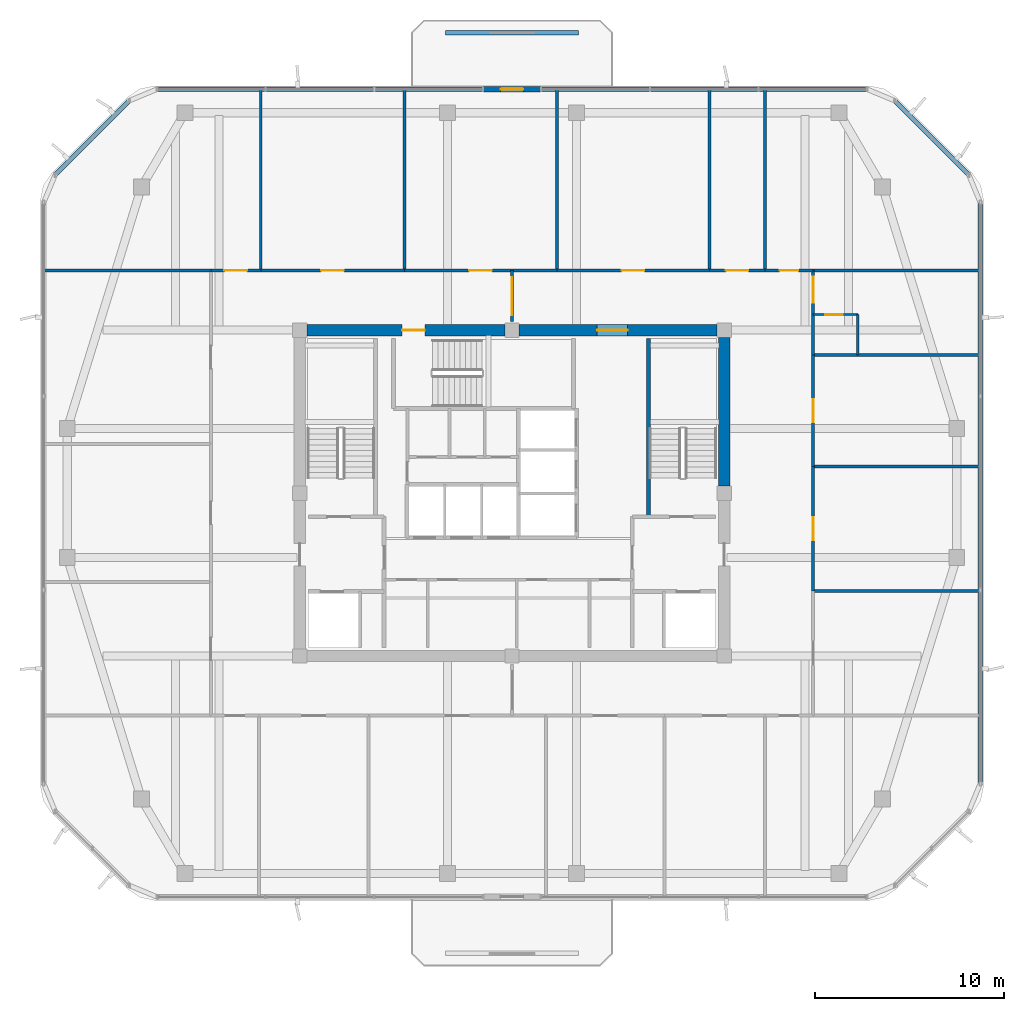
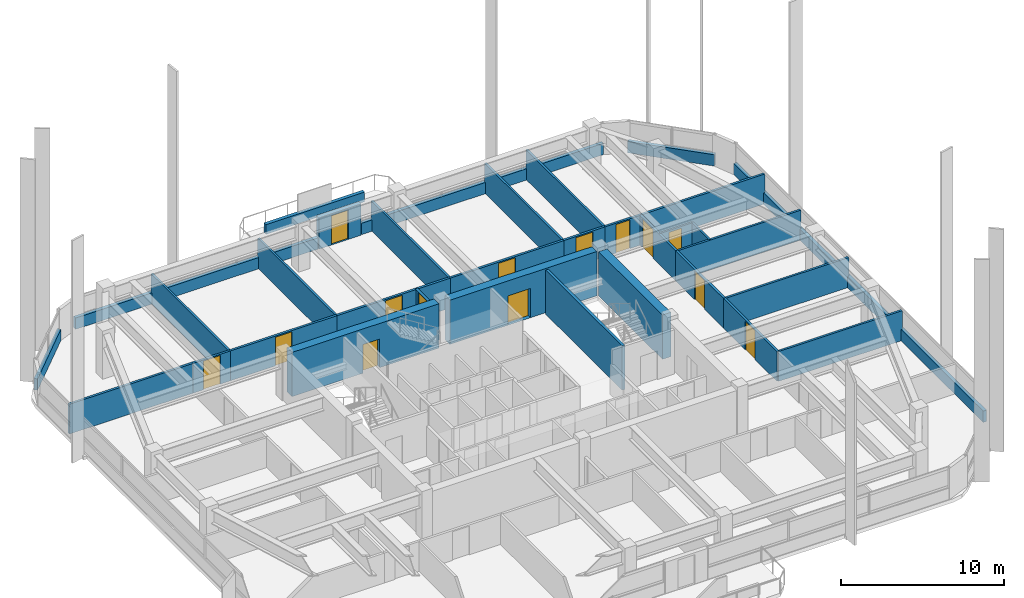
# One storey, part 9 of 13: 33 walls, 14 doors, 14 openings.
"""IFC4 building model written with IfcOpenShell, lengths in metres."""

import ifcopenshell
import ifcopenshell.guid

model = None  # the IFC model being written
_history = None  # IfcOwnerHistory: only IFC2X3 demands one
_inside = {}  # id of a spatial element -> (the spatial element, [elements in it])
_under = {}  # id of a project, library or spatial element -> (it, [spatial elements below it])
_declared = {}  # id of a project -> (the project, [libraries it declares])
_typed = {}  # id of a type object -> (the type object, [elements of that type])
_made_of = {}  # id of a material, layer set ... -> (it, [elements and type objects made of it])


def new_model(schema):
    """Start an empty IFC model of exactly this schema.

    Asked for "IFC4X3", IfcOpenShell would pick the latest addendum, in which some entities
    have other attributes; the version numbers below select the first issue.
    IFC2X3 requires an IfcOwnerHistory on every rooted entity: one is made here for all.
    """
    global model, _history
    if schema == "IFC4X3":
        model = ifcopenshell.file(schema_version=(4, 3, 0, 0))
    else:
        model = ifcopenshell.file(schema=schema)
    _inside.clear()
    _under.clear()
    _declared.clear()
    _typed.clear()
    _made_of.clear()
    _history = None
    if model.schema == "IFC2X3":
        org = make("IfcOrganization", Name="unknown")
        user = make(
            "IfcPersonAndOrganization",
            ThePerson=make("IfcPerson", FamilyName="unknown"),
            TheOrganization=org,
        )
        app = make(
            "IfcApplication",
            ApplicationDeveloper=org,
            Version="unknown",
            ApplicationFullName="unknown",
            ApplicationIdentifier="unknown",
        )
        _history = make(
            "IfcOwnerHistory",
            OwningUser=user,
            OwningApplication=app,
            ChangeAction="ADDED",
            CreationDate=0,
        )
    return model


def make(cls, **values):
    """One entity of the class cls with the attributes given. An attribute that is None is left unset."""
    return model.create_entity(
        cls, **{name: value for name, value in values.items() if value is not None}
    )


def rooted(cls, **values):
    """An entity with a GlobalId (a new one), such as an element, a storey or a relation."""
    return make(cls, GlobalId=ifcopenshell.guid.new(), OwnerHistory=_history, **values)


def si_unit(unit_type, name, prefix=None):
    """IfcSIUnit, for example si_unit("LENGTHUNIT", "METRE", prefix="MILLI")."""
    return make("IfcSIUnit", UnitType=unit_type, Prefix=prefix, Name=name)


def derived_unit(unit_type, elements):
    """IfcDerivedUnit: a product of units, each with its exponent."""
    return make(
        "IfcDerivedUnit",
        Elements=[
            make("IfcDerivedUnitElement", Unit=unit, Exponent=power)
            for unit, power in elements
        ],
        UnitType=unit_type,
    )


def assignment(units):
    """IfcUnitAssignment: the units of a project."""
    return None if units is None else make("IfcUnitAssignment", Units=units)


def point(xyz):
    """IfcCartesianPoint."""
    return None if xyz is None else make("IfcCartesianPoint", Coordinates=xyz)


def direction(xyz):
    """IfcDirection."""
    return None if xyz is None else make("IfcDirection", DirectionRatios=xyz)


def frame(location, z_axis=None, x_axis=None):
    """IfcAxis2Placement3D, a coordinate frame: its origin and axes. An axis left out is left unset."""
    return make(
        "IfcAxis2Placement3D",
        Location=point(location),
        Axis=direction(z_axis),
        RefDirection=direction(x_axis),
    )


def frame_2d(location, x_axis=None):
    """IfcAxis2Placement2D, a coordinate frame in the plane: its origin and x axis."""
    return make(
        "IfcAxis2Placement2D", Location=point(location), RefDirection=direction(x_axis)
    )


def origin():
    """The frame at (0, 0, 0) with its axes left unset."""
    return frame((0.0, 0.0, 0.0))


def place(relative_to, where):
    """IfcLocalPlacement: puts the frame where relative to a parent placement (None: the world)."""
    return make(
        "IfcLocalPlacement", PlacementRelTo=relative_to, RelativePlacement=where
    )


def context(
    kind, dimensions, precision=None, world=None, true_north=None, identifier=None
):
    """IfcGeometricRepresentationContext, for example the 3D "Model" context."""
    return make(
        "IfcGeometricRepresentationContext",
        ContextIdentifier=identifier,
        ContextType=kind,
        CoordinateSpaceDimension=dimensions,
        Precision=precision,
        WorldCoordinateSystem=world,
        TrueNorth=true_north,
    )


def subcontext(parent, identifier, kind, view, scale=None):
    """IfcGeometricRepresentationSubContext, for example "Body" below "Model"."""
    return make(
        "IfcGeometricRepresentationSubContext",
        ContextIdentifier=identifier,
        ContextType=kind,
        ParentContext=parent,
        TargetScale=scale,
        TargetView=view,
    )


def project(units=None, contexts=None):
    """IfcProject with its units and contexts."""
    return rooted(
        "IfcProject",
        Name="project",
        RepresentationContexts=contexts,
        UnitsInContext=assignment(units),
    )


def spatial(cls, under=None, at=None, **own):
    """A site, building, storey or space (cls), placed at a placement, below another one or the project."""
    s = rooted(cls, ObjectPlacement=at, **own)
    if under is not None:
        _under.setdefault(under.id(), (under, []))[1].append(s)
    return s


def profile(cls, at=None, kind="AREA", **sizes):
    """A parametric profile (cls). Its sizes go by their IFC names, for example OverallWidth=200.0."""
    return make(cls, ProfileType=kind, Position=at, **sizes)


def rectangle(**sizes):
    """IfcRectangleProfileDef."""
    return profile("IfcRectangleProfileDef", **sizes)


def extrude(swept, where, along, depth):
    """IfcExtrudedAreaSolid: the profile swept, set in the frame where, extruded along a direction by depth."""
    return make(
        "IfcExtrudedAreaSolid",
        SweptArea=swept,
        Position=where,
        ExtrudedDirection=direction(along),
        Depth=depth,
    )


def shape(context_of_items, identifier, shape_type, items):
    """IfcShapeRepresentation: the items that make up one representation, for example the "Body"."""
    return make(
        "IfcShapeRepresentation",
        ContextOfItems=context_of_items,
        RepresentationIdentifier=identifier,
        RepresentationType=shape_type,
        Items=items,
    )


def material(Name=None, Category=None):
    """IfcMaterial."""
    return make("IfcMaterial", Name=Name, Category=Category)


def layer(
    of_material, thickness, ventilated=None, Name=None, Category=None, Priority=None
):
    """IfcMaterialLayer: one layer of a wall or slab, of a material (None: an air gap)."""
    return make(
        "IfcMaterialLayer",
        Material=of_material,
        LayerThickness=thickness,
        IsVentilated=ventilated,
        Name=Name,
        Category=Category,
        Priority=Priority,
    )


def layer_set(layers, Name=None):
    """IfcMaterialLayerSet."""
    return make("IfcMaterialLayerSet", MaterialLayers=layers, LayerSetName=Name)


def made_of(thing, what):
    """Note that an element or type object is made of a material, layer set ...; save() writes the relation."""
    if what is not None:
        _made_of.setdefault(what.id(), (what, []))[1].append(thing)
    return thing


def type_object(cls, material=None, **own):
    """A type object (cls), such as IfcWallType, which elements share."""
    return made_of(rooted(cls, **own), material)


def element(
    cls,
    number,
    at=None,
    inside=None,
    cuts=None,
    type_object=None,
    material=None,
    context=None,
    identifier="Body",
    shape_type=None,
    held_by="IfcProductDefinitionShape",
    body=None,
    shapes=None,
    **own,
):
    """One element of the class cls, such as IfcWall. Its Tag is "e" and its number.

    at: its placement. inside: the storey or other place that contains it. cuts: it is an
    opening in that element (IfcRelVoidsElement). A single representation is given by context,
    identifier, shape_type and body (its items); several are given by shapes. held_by: the class
    of the entity that holds the representations. save() writes the other relations.
    """
    e = rooted(cls, Tag="e%d" % number, ObjectPlacement=at, **own)
    if body is not None:
        shapes = [shape(context, identifier, shape_type, body)]
    if shapes is not None:
        e.Representation = make(held_by, Representations=shapes)
    if inside is not None:
        _inside.setdefault(inside.id(), (inside, []))[1].append(e)
    if cuts is not None:
        rooted(
            "IfcRelVoidsElement", RelatingBuildingElement=cuts, RelatedOpeningElement=e
        )
    if type_object is not None:
        _typed.setdefault(type_object.id(), (type_object, []))[1].append(e)
    return made_of(e, material)


def fill(opening, filler):
    """IfcRelFillsElement: the door or window that sits in an opening."""
    return rooted(
        "IfcRelFillsElement",
        RelatingOpeningElement=opening,
        RelatedBuildingElement=filler,
    )


def aggregate(whole, parts):
    """IfcRelAggregates: a whole, such as a stair, and the parts it consists of."""
    return rooted("IfcRelAggregates", RelatingObject=whole, RelatedObjects=parts)


def save(model, path):
    """Write the relations noted so far, then the file.

    IfcRelAggregates (storeys below a building ...), IfcRelContainedInSpatialStructure (elements
    in a storey), IfcRelDefinesByType, IfcRelAssociatesMaterial and IfcRelDeclares: one each for
    every whole, place, type object, material and project.
    """
    for whole, parts in _under.values():
        aggregate(whole, parts)
    for where, things in _inside.values():
        rooted(
            "IfcRelContainedInSpatialStructure",
            RelatedElements=things,
            RelatingStructure=where,
        )
    for kind, things in _typed.values():
        rooted("IfcRelDefinesByType", RelatedObjects=things, RelatingType=kind)
    for what, things in _made_of.values():
        rooted("IfcRelAssociatesMaterial", RelatedObjects=things, RelatingMaterial=what)
    for by, libraries in _declared.values():
        rooted("IfcRelDeclares", RelatingContext=by, RelatedDefinitions=libraries)
    model.write(path)


model = new_model("IFC4")

# Units and contexts
model_context = context("Model", 3, precision=1e-05, world=origin(), true_north=direction((0.0, 1.0)))
body_context = subcontext(model_context, "Body", "Model", "MODEL_VIEW")
ifc_project = project(units=[si_unit("LENGTHUNIT", "METRE"), si_unit("AREAUNIT", "SQUARE_METRE"), si_unit("VOLUMEUNIT", "CUBIC_METRE"), si_unit("PLANEANGLEUNIT", "RADIAN"), si_unit("MASSUNIT", "GRAM", prefix="KILO"), derived_unit("THERMALTRANSMITTANCEUNIT", [(si_unit("POWERUNIT", "WATT"), 1), (si_unit("LENGTHUNIT", "METRE"), -2), (si_unit("THERMODYNAMICTEMPERATUREUNIT", "KELVIN"), -1)])], contexts=[model_context])

# Site, building, storey
site_placement = place(None, origin())
site = spatial("IfcSite", under=ifc_project, at=site_placement, CompositionType="ELEMENT")
building_placement = place(site_placement, origin())
building = spatial("IfcBuilding", under=site, at=building_placement, Name="Koralith Skygarden Medical Center", CompositionType="ELEMENT")
storey_placement = place(building_placement, frame((0.0, 0.0, 282.419921875)))
storey = spatial("IfcBuildingStorey", under=building, at=storey_placement, Name="L73", CompositionType="ELEMENT", Elevation=282.419921875)

# Walls
ifc_material_1 = material(Name="Gypsum Board Partition")
ifc_layer_1 = layer(ifc_material_1, 0.14990234375)
ifc_layer_set_1 = layer_set([ifc_layer_1], Name="Gypsum Board Partition")
wall_type_1 = type_object("IfcWallType", Name="Clinical Acoustic Partition 150", PredefinedType="PARTITIONING", material=ifc_layer_set_1)
for number, where, z_axis, x_axis, name in (
    (1, (23.739013671875, 37.64990234375, 0.0), (0.0, 0.0, 1.0), (0.0, 1.0, 0.0), "L73 Clinical Acoustic Partition 150 W-PART-L73-N-01"),
    (2, (31.31689453125, 37.64990234375, 0.0), (0.0, 0.0, 1.0), (0.0, 1.0, 0.0), "L73 Clinical Acoustic Partition 150 W-PART-L73-N-02"),
    (3, (39.367919921875, 37.64990234375, 0.0), (0.0, 0.0, 1.0), (0.0, 1.0, 0.0), "L73 Clinical Acoustic Partition 150 W-PART-L73-N-03"),
    (4, (47.4189453125, 37.64990234375, 0.0), (0.0, 0.0, 1.0), (0.0, 1.0, 0.0), "L73 Clinical Acoustic Partition 150 W-PART-L73-N-04"),
    (5, (50.35009765625, 37.64990234375, 0.0), (0.0, 0.0, 1.0), (0.0, 1.0, 0.0), "L73 Clinical Acoustic Partition 150 W-PART-L73-N-05"),
):
    element("IfcWall", number, at=place(storey_placement, frame(where, z_axis=z_axis, x_axis=x_axis)), inside=storey, type_object=wall_type_1, Name=name, PredefinedType="PARTITIONING", context=body_context, shape_type="SweptSolid", body=[
        extrude(rectangle(XDim=9.550048828125, YDim=0.14990234375, at=frame_2d((4.77490234375, 0.0))), origin(), (0.0, 0.0, 1.0), 2.239990234375),
    ])
for number, where, z_axis, x_axis, name in (
    (6, (52.89990234375, 20.72998046875, 0.0), (0.0, 0.0, 1.0), (1.0, 0.0, 0.0), "L73 Clinical Acoustic Partition 150 W-PART-L73-E-01"),
    (7, (52.89990234375, 27.31005859375, 0.0), (0.0, 0.0, 1.0), (1.0, 0.0, 0.0), "L73 Clinical Acoustic Partition 150 W-PART-L73-E-02"),
    (8, (52.89990234375, 33.18505859375, 0.0), (0.0, 0.0, 1.0), (1.0, 0.0, 0.0), "L73 Clinical Acoustic Partition 150 W-PART-L73-E-03"),
):
    element("IfcWall", number, at=place(storey_placement, frame(where, z_axis=z_axis, x_axis=x_axis)), inside=storey, type_object=wall_type_1, Name=name, PredefinedType="PARTITIONING", context=body_context, shape_type="SweptSolid", body=[
        extrude(rectangle(XDim=8.800048828125, YDim=0.14990234375, at=frame_2d((4.39990234375, 0.0))), origin(), (0.0, 0.0, 1.0), 2.239990234375),
    ])
ifc_layer_2 = layer(ifc_material_1, 0.1650390625)
ifc_layer_set_2 = layer_set([ifc_layer_2], Name="Gypsum Board Partition")
wall_type_2 = type_object("IfcWallType", Name="Clinical Corridor Partition 165", PredefinedType="PARTITIONING", material=ifc_layer_set_2)
for number, where, z_axis, x_axis, name in (
    (9, (12.300048828125, 37.64990234375, 0.0), (0.0, 0.0, 1.0), (1.0, 0.0, 0.0), "L73 Clinical Corridor Partition 165 W-WB-L73-NW"),
    (10, (52.89990234375, 37.64990234375, 0.0), (0.0, 0.0, 1.0), (1.0, 0.0, 0.0), "L73 Clinical Corridor Partition 165 W-WB-L73-NE"),
):
    element("IfcWall", number, at=place(storey_placement, frame(where, z_axis=z_axis, x_axis=x_axis)), inside=storey, type_object=wall_type_2, Name=name, PredefinedType="PARTITIONING", context=body_context, shape_type="SweptSolid", body=[
        extrude(rectangle(XDim=8.800048828125, YDim=0.1650390625, at=frame_2d((4.39990234375, 0.0))), origin(), (0.0, 0.0, 1.0), 2.239990234375),
    ])

# Wall, opening, door
wall_1_placement = place(storey_placement, frame((21.10009765625, 37.64990234375, 0.0), z_axis=(0.0, 0.0, 1.0), x_axis=(1.0, 0.0, 0.0)))
wall_1 = element("IfcWall", 11, at=wall_1_placement, inside=storey, type_object=wall_type_2, Name="L73 Clinical Corridor Partition 165 W-CORR-L73-N-01", PredefinedType="PARTITIONING", context=body_context, shape_type="SweptSolid", body=[
    extrude(rectangle(XDim=2.638916015625, YDim=0.1650390625, at=frame_2d((1.3193359375, 0.0))), origin(), (0.0, 0.0, 1.0), 2.239990234375),
])
opening_1_placement = place(wall_1_placement, frame((0.718994140625, 0.0, 0.0)))
opening_1 = element("IfcOpeningElement", 12, at=opening_1_placement, cuts=wall_1, Name="Opening D-CLN", PredefinedType="OPENING", context=body_context, shape_type="SweptSolid", body=[
    extrude(rectangle(XDim=1.199951171875, YDim=2.14990234375, at=frame_2d((0.60009765625, 1.074951171875))), frame((0.0, 0.092529296875, 0.0), z_axis=(0.0, -1.0, 0.0), x_axis=(1.0, 0.0, 0.0)), (0.0, 0.0, 1.0), 0.18505859375),
])
ifc_material_2 = material(Name="Aluminium 6063-T6", Category="aluminium")
door_type_1 = type_object("IfcDoorType", Name="Clinical Corridor Door D-CLN 1200", OperationType="NOTDEFINED", PredefinedType="DOOR", material=ifc_material_2)
door_1_placement = place(opening_1_placement, origin())
door_1 = element("IfcDoor", 13, at=door_1_placement, inside=storey, type_object=door_type_1, Name="L73 Prosthetics Orthotics Supply Store 01 Door", OperationType="SINGLE_SWING_RIGHT", OverallHeight=2.14990234375, OverallWidth=1.199951171875, PredefinedType="DOOR", context=body_context, shape_type="SweptSolid", body=[
    extrude(rectangle(XDim=1.199951171875, YDim=2.14990234375, at=frame_2d((0.60009765625, 1.074951171875))), frame((0.0, 0.02490234375, 0.0), z_axis=(0.0, -1.0, 0.0), x_axis=(1.0, 0.0, 0.0)), (0.0, 0.0, 1.0), 0.050048828125),
])
fill(opening_1, door_1)

wall_2_placement = place(storey_placement, frame((23.739013671875, 37.64990234375, 0.0), z_axis=(0.0, 0.0, 1.0), x_axis=(1.0, 0.0, 0.0)))
wall_2 = element("IfcWall", 14, at=wall_2_placement, inside=storey, type_object=wall_type_2, Name="L73 Clinical Corridor Partition 165 W-CORR-L73-N-02", PredefinedType="PARTITIONING", context=body_context, shape_type="SweptSolid", body=[
    extrude(rectangle(XDim=7.577880859375, YDim=0.1650390625, at=frame_2d((3.7890625, 0.0))), origin(), (0.0, 0.0, 1.0), 2.239990234375),
])
opening_2_placement = place(wall_2_placement, frame((3.18896484375, 0.0, 0.0)))
opening_2 = element("IfcOpeningElement", 15, at=opening_2_placement, cuts=wall_2, Name="Opening D-CLN", PredefinedType="OPENING", context=body_context, shape_type="SweptSolid", body=[
    extrude(rectangle(XDim=1.199951171875, YDim=2.14990234375, at=frame_2d((0.60009765625, 1.074951171875))), frame((0.0, 0.092529296875, 0.0), z_axis=(0.0, -1.0, 0.0), x_axis=(1.0, 0.0, 0.0)), (0.0, 0.0, 1.0), 0.18505859375),
])
door_2_placement = place(opening_2_placement, origin())
door_2 = element("IfcDoor", 16, at=door_2_placement, inside=storey, type_object=door_type_1, Name="L73 Amputee Mobility Gym Hall 02 Door", OperationType="SINGLE_SWING_LEFT", OverallHeight=2.14990234375, OverallWidth=1.199951171875, PredefinedType="DOOR", context=body_context, shape_type="SweptSolid", body=[
    extrude(rectangle(XDim=1.199951171875, YDim=2.14990234375, at=frame_2d((0.60009765625, 1.074951171875))), frame((0.0, 0.02490234375, 0.0), z_axis=(0.0, -1.0, 0.0), x_axis=(1.0, 0.0, 0.0)), (0.0, 0.0, 1.0), 0.050048828125),
])
fill(opening_2, door_2)

wall_3_placement = place(storey_placement, frame((31.31689453125, 37.64990234375, 0.0), z_axis=(0.0, 0.0, 1.0), x_axis=(1.0, 0.0, 0.0)))
wall_3 = element("IfcWall", 17, at=wall_3_placement, inside=storey, type_object=wall_type_2, Name="L73 Clinical Corridor Partition 165 W-CORR-L73-N-03", PredefinedType="PARTITIONING", context=body_context, shape_type="SweptSolid", body=[
    extrude(rectangle(XDim=8.051025390625, YDim=0.1650390625, at=frame_2d((4.025390625, 0.0))), origin(), (0.0, 0.0, 1.0), 2.239990234375),
])
opening_3_placement = place(wall_3_placement, frame((3.426025390625, 0.0, 0.0)))
opening_3 = element("IfcOpeningElement", 18, at=opening_3_placement, cuts=wall_3, Name="Opening D-CLN", PredefinedType="OPENING", context=body_context, shape_type="SweptSolid", body=[
    extrude(rectangle(XDim=1.199951171875, YDim=2.14990234375, at=frame_2d((0.60009765625, 1.074951171875))), frame((0.0, 0.092529296875, 0.0), z_axis=(0.0, -1.0, 0.0), x_axis=(1.0, 0.0, 0.0)), (0.0, 0.0, 1.0), 0.18505859375),
])
door_3_placement = place(opening_3_placement, origin())
door_3 = element("IfcDoor", 19, at=door_3_placement, inside=storey, type_object=door_type_1, Name="L73 Patient and Family Sky-Garden Day Lounge 03 Door", OperationType="SINGLE_SWING_RIGHT", OverallHeight=2.14990234375, OverallWidth=1.199951171875, PredefinedType="DOOR", context=body_context, shape_type="SweptSolid", body=[
    extrude(rectangle(XDim=1.199951171875, YDim=2.14990234375, at=frame_2d((0.60009765625, 1.074951171875))), frame((0.0, 0.02490234375, 0.0), z_axis=(0.0, -1.0, 0.0), x_axis=(1.0, 0.0, 0.0)), (0.0, 0.0, 1.0), 0.050048828125),
])
fill(opening_3, door_3)

wall_4_placement = place(storey_placement, frame((39.367919921875, 37.64990234375, 0.0), z_axis=(0.0, 0.0, 1.0), x_axis=(1.0, 0.0, 0.0)))
wall_4 = element("IfcWall", 20, at=wall_4_placement, inside=storey, type_object=wall_type_2, Name="L73 Clinical Corridor Partition 165 W-CORR-L73-N-04", PredefinedType="PARTITIONING", context=body_context, shape_type="SweptSolid", body=[
    extrude(rectangle(XDim=8.051025390625, YDim=0.1650390625, at=frame_2d((4.025390625, 0.0))), origin(), (0.0, 0.0, 1.0), 2.239990234375),
])
opening_4_placement = place(wall_4_placement, frame((3.425048828125, 0.0, 0.0)))
opening_4 = element("IfcOpeningElement", 21, at=opening_4_placement, cuts=wall_4, Name="Opening D-CLN", PredefinedType="OPENING", context=body_context, shape_type="SweptSolid", body=[
    extrude(rectangle(XDim=1.199951171875, YDim=2.14990234375, at=frame_2d((0.60009765625, 1.074951171875))), frame((0.0, 0.092529296875, 0.0), z_axis=(0.0, -1.0, 0.0), x_axis=(1.0, 0.0, 0.0)), (0.0, 0.0, 1.0), 0.18505859375),
])
door_4_placement = place(opening_4_placement, origin())
door_4 = element("IfcDoor", 22, at=door_4_placement, inside=storey, type_object=door_type_1, Name="L73 Limb Fitting Treatment Room 04 Door", OperationType="SINGLE_SWING_LEFT", OverallHeight=2.14990234375, OverallWidth=1.199951171875, PredefinedType="DOOR", context=body_context, shape_type="SweptSolid", body=[
    extrude(rectangle(XDim=1.199951171875, YDim=2.14990234375, at=frame_2d((0.60009765625, 1.074951171875))), frame((0.0, 0.02490234375, 0.0), z_axis=(0.0, -1.0, 0.0), x_axis=(1.0, 0.0, 0.0)), (0.0, 0.0, 1.0), 0.050048828125),
])
fill(opening_4, door_4)

wall_5_placement = place(storey_placement, frame((47.4189453125, 37.64990234375, 0.0), z_axis=(0.0, 0.0, 1.0), x_axis=(1.0, 0.0, 0.0)))
wall_5 = element("IfcWall", 23, at=wall_5_placement, inside=storey, type_object=wall_type_2, Name="L73 Clinical Corridor Partition 165 W-CORR-L73-N-05", PredefinedType="PARTITIONING", context=body_context, shape_type="SweptSolid", body=[
    extrude(rectangle(XDim=2.93115234375, YDim=0.1650390625, at=frame_2d((1.465576171875, 0.0))), origin(), (0.0, 0.0, 1.0), 2.239990234375),
])
opening_5_placement = place(wall_5_placement, frame((0.865966796875, 0.0, 0.0)))
opening_5 = element("IfcOpeningElement", 24, at=opening_5_placement, cuts=wall_5, Name="Opening D-CLN", PredefinedType="OPENING", context=body_context, shape_type="SweptSolid", body=[
    extrude(rectangle(XDim=1.199951171875, YDim=2.14990234375, at=frame_2d((0.60009765625, 1.074951171875))), frame((0.0, 0.092529296875, 0.0), z_axis=(0.0, -1.0, 0.0), x_axis=(1.0, 0.0, 0.0)), (0.0, 0.0, 1.0), 0.18505859375),
])
door_5_placement = place(opening_5_placement, origin())
door_5 = element("IfcDoor", 25, at=door_5_placement, inside=storey, type_object=door_type_1, Name="L73 Rehab Engineering Office 05 Door", OperationType="SINGLE_SWING_RIGHT", OverallHeight=2.14990234375, OverallWidth=1.199951171875, PredefinedType="DOOR", context=body_context, shape_type="SweptSolid", body=[
    extrude(rectangle(XDim=1.199951171875, YDim=2.14990234375, at=frame_2d((0.60009765625, 1.074951171875))), frame((0.0, 0.02490234375, 0.0), z_axis=(0.0, -1.0, 0.0), x_axis=(1.0, 0.0, 0.0)), (0.0, 0.0, 1.0), 0.050048828125),
])
fill(opening_5, door_5)

wall_6_placement = place(storey_placement, frame((50.35009765625, 37.64990234375, 0.0), z_axis=(0.0, 0.0, 1.0), x_axis=(1.0, 0.0, 0.0)))
wall_6 = element("IfcWall", 26, at=wall_6_placement, inside=storey, type_object=wall_type_2, Name="L73 Clinical Corridor Partition 165 W-CORR-L73-N-06", PredefinedType="PARTITIONING", context=body_context, shape_type="SweptSolid", body=[
    extrude(rectangle(XDim=2.5498046875, YDim=0.1650390625, at=frame_2d((1.27490234375, 0.0))), origin(), (0.0, 0.0, 1.0), 2.239990234375),
])
opening_6_placement = place(wall_6_placement, frame((0.77490234375, 0.0, 0.0)))
opening_6 = element("IfcOpeningElement", 27, at=opening_6_placement, cuts=wall_6, Name="Opening D-SUP", PredefinedType="OPENING", context=body_context, shape_type="SweptSolid", body=[
    extrude(rectangle(XDim=1.0, YDim=2.14990234375, at=frame_2d((0.5, 1.074951171875))), frame((0.0, 0.092529296875, 0.0), z_axis=(0.0, -1.0, 0.0), x_axis=(1.0, 0.0, 0.0)), (0.0, 0.0, 1.0), 0.18505859375),
])
door_type_2 = type_object("IfcDoorType", Name="Clinical Support Door D-SUP 1000", OperationType="NOTDEFINED", PredefinedType="DOOR", material=ifc_material_2)
door_6_placement = place(opening_6_placement, origin())
door_6 = element("IfcDoor", 28, at=door_6_placement, inside=storey, type_object=door_type_2, Name="L73 Prosthetics Orthotics Supply Store 06 Door", OperationType="SINGLE_SWING_LEFT", OverallHeight=2.14990234375, OverallWidth=1.0, PredefinedType="DOOR", context=body_context, shape_type="SweptSolid", body=[
    extrude(rectangle(XDim=1.0, YDim=2.14990234375, at=frame_2d((0.5, 1.074951171875))), frame((0.0, 0.02490234375, 0.0), z_axis=(0.0, -1.0, 0.0), x_axis=(1.0, 0.0, 0.0)), (0.0, 0.0, 1.0), 0.050048828125),
])
fill(opening_6, door_6)

wall_7_placement = place(storey_placement, frame((52.89990234375, 20.72998046875, 0.0), z_axis=(0.0, 0.0, 1.0), x_axis=(0.0, 1.0, 0.0)))
wall_7 = element("IfcWall", 29, at=wall_7_placement, inside=storey, type_object=wall_type_2, Name="L73 Clinical Corridor Partition 165 W-CORR-L73-E-02", PredefinedType="PARTITIONING", context=body_context, shape_type="SweptSolid", body=[
    extrude(rectangle(XDim=6.580078125, YDim=0.1650390625, at=frame_2d((3.2900390625, 0.0))), origin(), (0.0, 0.0, 1.0), 2.239990234375),
])
opening_7_placement = place(wall_7_placement, frame((2.68994140625, 0.0, 0.0)))
opening_7 = element("IfcOpeningElement", 30, at=opening_7_placement, cuts=wall_7, Name="Opening D-CLN", PredefinedType="OPENING", context=body_context, shape_type="SweptSolid", body=[
    extrude(rectangle(XDim=1.199951171875, YDim=2.14990234375, at=frame_2d((0.60009765625, 1.074951171875))), frame((0.0, 0.092529296875, 0.0), z_axis=(0.0, -1.0, 0.0), x_axis=(1.0, 0.0, 0.0)), (0.0, 0.0, 1.0), 0.18505859375),
])
door_7_placement = place(opening_7_placement, origin())
door_7 = element("IfcDoor", 31, at=door_7_placement, inside=storey, type_object=door_type_1, Name="L73 Limb Fitting Treatment Room 17 Door", OperationType="SINGLE_SWING_RIGHT", OverallHeight=2.14990234375, OverallWidth=1.199951171875, PredefinedType="DOOR", context=body_context, shape_type="SweptSolid", body=[
    extrude(rectangle(XDim=1.199951171875, YDim=2.14990234375, at=frame_2d((0.60009765625, 1.074951171875))), frame((0.0, 0.02490234375, 0.0), z_axis=(0.0, -1.0, 0.0), x_axis=(1.0, 0.0, 0.0)), (0.0, 0.0, 1.0), 0.050048828125),
])
fill(opening_7, door_7)

wall_8_placement = place(storey_placement, frame((52.89990234375, 27.31005859375, 0.0), z_axis=(0.0, 0.0, 1.0), x_axis=(0.0, 1.0, 0.0)))
wall_8 = element("IfcWall", 32, at=wall_8_placement, inside=storey, type_object=wall_type_2, Name="L73 Clinical Corridor Partition 165 W-CORR-L73-E-03", PredefinedType="PARTITIONING", context=body_context, shape_type="SweptSolid", body=[
    extrude(rectangle(XDim=5.875, YDim=0.1650390625, at=frame_2d((2.9375, 0.0))), origin(), (0.0, 0.0, 1.0), 2.239990234375),
])
opening_8_placement = place(wall_8_placement, frame((2.337890625, 0.0, 0.0)))
opening_8 = element("IfcOpeningElement", 33, at=opening_8_placement, cuts=wall_8, Name="Opening D-CLN", PredefinedType="OPENING", context=body_context, shape_type="SweptSolid", body=[
    extrude(rectangle(XDim=1.199951171875, YDim=2.14990234375, at=frame_2d((0.60009765625, 1.074951171875))), frame((0.0, 0.092529296875, 0.0), z_axis=(0.0, -1.0, 0.0), x_axis=(1.0, 0.0, 0.0)), (0.0, 0.0, 1.0), 0.18505859375),
])
door_8_placement = place(opening_8_placement, origin())
door_8 = element("IfcDoor", 34, at=door_8_placement, inside=storey, type_object=door_type_1, Name="L73 Rehab Engineering Office 18 Door", OperationType="SINGLE_SWING_LEFT", OverallHeight=2.14990234375, OverallWidth=1.199951171875, PredefinedType="DOOR", context=body_context, shape_type="SweptSolid", body=[
    extrude(rectangle(XDim=1.199951171875, YDim=2.14990234375, at=frame_2d((0.60009765625, 1.074951171875))), frame((0.0, 0.02490234375, 0.0), z_axis=(0.0, -1.0, 0.0), x_axis=(1.0, 0.0, 0.0)), (0.0, 0.0, 1.0), 0.050048828125),
])
fill(opening_8, door_8)

wall_9_placement = place(storey_placement, frame((52.89990234375, 33.18505859375, 0.0), z_axis=(0.0, 0.0, 1.0), x_axis=(0.0, 1.0, 0.0)))
wall_9 = element("IfcWall", 35, at=wall_9_placement, inside=storey, type_object=wall_type_2, Name="L73 Clinical Corridor Partition 165 W-CORR-L73-E-04", PredefinedType="PARTITIONING", context=body_context, shape_type="SweptSolid", body=[
    extrude(rectangle(XDim=4.46484375, YDim=0.1650390625, at=frame_2d((2.232421875, 0.0))), origin(), (0.0, 0.0, 1.0), 2.239990234375),
])
opening_9_placement = place(wall_9_placement, frame((2.77490234375, 0.0, 0.0)))
opening_9 = element("IfcOpeningElement", 36, at=opening_9_placement, cuts=wall_9, Name="Opening D-BED", PredefinedType="OPENING", context=body_context, shape_type="SweptSolid", body=[
    extrude(rectangle(XDim=1.35009765625, YDim=2.14990234375, at=frame_2d((0.675048828125, 1.074951171875))), frame((0.0, 0.092529296875, 0.0), z_axis=(0.0, -1.0, 0.0), x_axis=(1.0, 0.0, 0.0)), (0.0, 0.0, 1.0), 0.18505859375),
])
door_type_3 = type_object("IfcDoorType", Name="Inpatient Bed Leaf Door D-BED 1350", OperationType="NOTDEFINED", PredefinedType="DOOR", material=ifc_material_2)
door_9_placement = place(opening_9_placement, origin())
door_9 = element("IfcDoor", 37, at=door_9_placement, inside=storey, type_object=door_type_3, Name="L73 Inpatient Bedroom 19 Door", OperationType="SINGLE_SWING_RIGHT", OverallHeight=2.14990234375, OverallWidth=1.35009765625, PredefinedType="DOOR", context=body_context, shape_type="SweptSolid", body=[
    extrude(rectangle(XDim=1.35009765625, YDim=2.14990234375, at=frame_2d((0.675048828125, 1.074951171875))), frame((0.0, 0.02490234375, 0.0), z_axis=(0.0, -1.0, 0.0), x_axis=(1.0, 0.0, 0.0)), (0.0, 0.0, 1.0), 0.050048828125),
])
fill(opening_9, door_9)

ifc_layer_3 = layer(ifc_material_1, 0.179931640625)
ifc_layer_set_3 = layer_set([ifc_layer_3], Name="Gypsum Board Partition")
wall_type_3 = type_object("IfcWallType", Name="Group I-2 Smoke Barrier Wall 180", PredefinedType="PARTITIONING", material=ifc_layer_set_3)
wall_10_placement = place(storey_placement, frame((37.0, 34.949951171875, 0.0), z_axis=(0.0, 0.0, 1.0), x_axis=(0.0, 1.0, 0.0)))
wall_10 = element("IfcWall", 38, at=wall_10_placement, inside=storey, type_object=wall_type_3, Name="L73 Group I-2 Smoke Barrier Wall 180 W-SMK-L73-N", PredefinedType="PARTITIONING", context=body_context, shape_type="SweptSolid", body=[
    extrude(rectangle(XDim=2.699951171875, YDim=0.179931640625, at=frame_2d((1.35009765625, 0.0))), origin(), (0.0, 0.0, 1.0), 2.239990234375),
])
opening_10_placement = place(wall_10_placement, frame((0.35009765625, 0.0, 0.0)))
opening_10 = element("IfcOpeningElement", 39, at=opening_10_placement, cuts=wall_10, Name="Opening D-SMK", PredefinedType="OPENING", context=body_context, shape_type="SweptSolid", body=[
    extrude(rectangle(XDim=2.0, YDim=2.199951171875, at=frame_2d((1.0, 1.10009765625))), frame((0.0, 0.099853515625, 0.0), z_axis=(0.0, -1.0, 0.0), x_axis=(1.0, 0.0, 0.0)), (0.0, 0.0, 1.0), 0.199951171875),
])
ifc_material_3 = material(Name="Steel ASTM A500 Grade C", Category="steel")
door_type_4 = type_object("IfcDoorType", Name="Cross-Corridor Double Smoke Door FD60S 2000", OperationType="NOTDEFINED", PredefinedType="DOOR", material=ifc_material_3)
door_10_placement = place(opening_10_placement, origin())
door_10 = element("IfcDoor", 40, at=door_10_placement, inside=storey, type_object=door_type_4, Name="L73 N Smoke Compartment Cross-Corridor Door", OperationType="DOUBLE_DOOR_SINGLE_SWING", OverallHeight=2.199951171875, OverallWidth=2.0, PredefinedType="DOOR", context=body_context, shape_type="SweptSolid", body=[
    extrude(rectangle(XDim=2.0, YDim=2.199951171875, at=frame_2d((1.0, 1.10009765625))), frame((0.0, 0.02490234375, 0.0), z_axis=(0.0, -1.0, 0.0), x_axis=(1.0, 0.0, 0.0)), (0.0, 0.0, 1.0), 0.050048828125),
])
fill(opening_10, door_10)

# Walls
ifc_material_4 = material(Name="Warm Oolitic Limestone Cladding", Category="masonry")
ifc_layer_4 = layer(ifc_material_4, 0.239990234375)
ifc_layer_set_4 = layer_set([ifc_layer_4], Name="Warm Oolitic Limestone Cladding")
wall_type_4 = type_object("IfcWallType", Name="Limestone Spandrel Sill Backup Wall 240", PredefinedType="SOLIDWALL", material=ifc_layer_set_4)
wall_11_placement = place(storey_placement, frame((61.719970703125, 10.554931640625, 0.0), z_axis=(0.0, 0.0, 1.0), x_axis=(0.0, 1.0, 0.0)))
element("IfcWall", 41, at=wall_11_placement, inside=storey, type_object=wall_type_4, Name="L73 Sill Spandrel E", PredefinedType="SOLIDWALL", context=body_context, shape_type="SweptSolid", body=[
    extrude(rectangle(XDim=30.690185546875, YDim=0.239990234375, at=frame_2d((15.34521484375, 0.0))), origin(), (0.0, 0.0, 1.0), 0.85009765625),
])
wall_12_placement = place(storey_placement, frame((61.118896484375, 42.696044921875, 0.0), z_axis=(0.0, 0.0, 1.0), x_axis=(-0.707106781187, 0.707106781187, 0.0)))
element("IfcWall", 42, at=wall_12_placement, inside=storey, type_object=wall_type_4, Name="L73 Sill Spandrel NE", PredefinedType="SOLIDWALL", context=body_context, shape_type="SweptSolid", body=[
    extrude(rectangle(XDim=5.5478515625, YDim=0.239990234375, at=frame_2d((2.77392578125, 0.0))), origin(), (0.0, 0.0, 1.0), 0.85009765625),
])
wall_13_placement = place(storey_placement, frame((55.7451171875, 47.219970703125, 0.0), z_axis=(0.0, 0.0, 1.0), x_axis=(-1.0, 0.0, 0.0)))
element("IfcWall", 43, at=wall_13_placement, inside=storey, type_object=wall_type_4, Name="L73 Sill Spandrel N-L", PredefinedType="SOLIDWALL", context=body_context, shape_type="SweptSolid", body=[
    extrude(rectangle(XDim=17.2041015625, YDim=0.239990234375, at=frame_2d((8.60205078125, 0.0))), origin(), (0.0, 0.0, 1.0), 0.85009765625),
])
wall_14_placement = place(storey_placement, frame((35.4609375, 47.219970703125, 0.0), z_axis=(0.0, 0.0, 1.0), x_axis=(-1.0, 0.0, 0.0)))
element("IfcWall", 44, at=wall_14_placement, inside=storey, type_object=wall_type_4, Name="L73 Sill Spandrel N-R", PredefinedType="SOLIDWALL", context=body_context, shape_type="SweptSolid", body=[
    extrude(rectangle(XDim=17.2060546875, YDim=0.239990234375, at=frame_2d((8.60302734375, 0.0))), origin(), (0.0, 0.0, 1.0), 0.85009765625),
])
wall_15_placement = place(storey_placement, frame((16.803955078125, 46.618896484375, 0.0), z_axis=(0.0, 0.0, 1.0), x_axis=(-0.707106781187, -0.707106781187, 0.0)))
element("IfcWall", 45, at=wall_15_placement, inside=storey, type_object=wall_type_4, Name="L73 Sill Spandrel NW", PredefinedType="SOLIDWALL", context=body_context, shape_type="SweptSolid", body=[
    extrude(rectangle(XDim=5.5478515625, YDim=0.239990234375, at=frame_2d((2.77392578125, 0.0))), origin(), (0.0, 0.0, 1.0), 0.85009765625),
])

# Wall, opening, door
ifc_layer_5 = layer(ifc_material_4, 0.300048828125)
ifc_layer_set_5 = layer_set([ifc_layer_5], Name="Warm Oolitic Limestone Cladding")
wall_type_5 = type_object("IfcWallType", Name="Oolitic Limestone Insulated Facade Wall 300", PredefinedType="SOLIDWALL", material=ifc_layer_set_5)
wall_16_placement = place(storey_placement, frame((38.5009765625, 47.219970703125, 0.0), z_axis=(0.0, 0.0, 1.0), x_axis=(-1.0, 0.0, 0.0)))
wall_16 = element("IfcWall", 46, at=wall_16_placement, inside=storey, type_object=wall_type_5, Name="L73 Terrace Portal Wall N", PredefinedType="SOLIDWALL", context=body_context, shape_type="SweptSolid", body=[
    extrude(rectangle(XDim=3.0, YDim=0.300048828125, at=frame_2d((1.5, 0.0))), origin(), (0.0, 0.0, 1.0), 2.35009765625),
])
opening_11_placement = place(wall_16_placement, frame((0.89990234375, 0.0, 0.0)))
opening_11 = element("IfcOpeningElement", 47, at=opening_11_placement, cuts=wall_16, Name="Opening D-BAL", PredefinedType="OPENING", context=body_context, shape_type="SweptSolid", body=[
    extrude(rectangle(XDim=1.199951171875, YDim=2.199951171875, at=frame_2d((0.60009765625, 1.10009765625))), frame((0.0, 0.159912109375, 0.0), z_axis=(0.0, -1.0, 0.0), x_axis=(1.0, 0.0, 0.0)), (0.0, 0.0, 1.0), 0.320068359375),
])
door_type_5 = type_object("IfcDoorType", Name="Planted Balcony Glazed Terrace Door D-BAL 1200", OperationType="NOTDEFINED", PredefinedType="DOOR", material=ifc_material_2)
door_11_placement = place(opening_11_placement, origin())
door_11 = element("IfcDoor", 48, at=door_11_placement, inside=storey, type_object=door_type_5, Name="L73 N Outdoor Terrace Access Door", OperationType="SINGLE_SWING_RIGHT", OverallHeight=2.199951171875, OverallWidth=1.199951171875, PredefinedType="DOOR", context=body_context, shape_type="SweptSolid", body=[
    extrude(rectangle(XDim=1.199951171875, YDim=2.199951171875, at=frame_2d((0.60009765625, 1.10009765625))), frame((0.0, 0.02490234375, 0.0), z_axis=(0.0, -1.0, 0.0), x_axis=(1.0, 0.0, 0.0)), (0.0, 0.0, 1.0), 0.050048828125),
])
fill(opening_11, door_11)

ifc_layer_6 = layer(ifc_material_1, 0.1201171875)
ifc_layer_set_6 = layer_set([ifc_layer_6], Name="Gypsum Board Partition")
wall_type_6 = type_object("IfcWallType", Name="Plumbing Wet Wall 120", PredefinedType="PLUMBINGWALL", material=ifc_layer_set_6)
wall_17_placement = place(storey_placement, frame((52.89990234375, 35.324951171875, 0.0), z_axis=(0.0, 0.0, 1.0), x_axis=(1.0, 0.0, 0.0)))
wall_17 = element("IfcWall", 49, at=wall_17_placement, inside=storey, type_object=wall_type_6, Name="L73 Plumbing Wet Wall 120 W-ENS-L73-19A", PredefinedType="PLUMBINGWALL", context=body_context, shape_type="SweptSolid", body=[
    extrude(rectangle(XDim=2.360107421875, YDim=0.1201171875, at=frame_2d((1.18017578125, 0.0))), origin(), (0.0, 0.0, 1.0), 2.239990234375),
])
opening_12_placement = place(wall_17_placement, frame((0.64990234375, 0.0, 0.0)))
opening_12 = element("IfcOpeningElement", 50, at=opening_12_placement, cuts=wall_17, Name="Opening D-ENS", PredefinedType="OPENING", context=body_context, shape_type="SweptSolid", body=[
    extrude(rectangle(XDim=0.89990234375, YDim=2.10009765625, at=frame_2d((0.449951171875, 1.050048828125))), frame((0.0, 0.070068359375, 0.0), z_axis=(0.0, -1.0, 0.0), x_axis=(1.0, 0.0, 0.0)), (0.0, 0.0, 1.0), 0.14013671875),
])
door_type_6 = type_object("IfcDoorType", Name="En-Suite Bathroom Door D-ENS 900", OperationType="NOTDEFINED", PredefinedType="DOOR", material=ifc_material_2)
door_12_placement = place(opening_12_placement, origin())
door_12 = element("IfcDoor", 51, at=door_12_placement, inside=storey, type_object=door_type_6, Name="L73 En-Suite 19 Door", OperationType="SINGLE_SWING_RIGHT", OverallHeight=2.10009765625, OverallWidth=0.89990234375, PredefinedType="DOOR", context=body_context, shape_type="SweptSolid", body=[
    extrude(rectangle(XDim=0.89990234375, YDim=2.10009765625, at=frame_2d((0.449951171875, 1.050048828125))), frame((0.0, 0.02490234375, 0.0), z_axis=(0.0, -1.0, 0.0), x_axis=(1.0, 0.0, 0.0)), (0.0, 0.0, 1.0), 0.050048828125),
])
fill(opening_12, door_12)

# Walls
wall_18_placement = place(storey_placement, frame((55.260009765625, 33.18505859375, 0.0), z_axis=(0.0, 0.0, 1.0), x_axis=(0.0, 1.0, 0.0)))
element("IfcWall", 52, at=wall_18_placement, inside=storey, type_object=wall_type_6, Name="L73 Plumbing Wet Wall 120 W-ENS-L73-19B", PredefinedType="PLUMBINGWALL", context=body_context, shape_type="SweptSolid", body=[
    extrude(rectangle(XDim=2.139892578125, YDim=0.1201171875, at=frame_2d((1.06982421875, 0.0))), origin(), (0.0, 0.0, 1.0), 2.239990234375),
])
ifc_material_5 = material(Name="Precast concrete C40/50", Category="concrete")
ifc_layer_7 = layer(ifc_material_5, 0.25)
ifc_layer_set_7 = layer_set([ifc_layer_7], Name="Precast concrete C40/50")
wall_type_7 = type_object("IfcWallType", Name="Structural Concrete Balcony Planter Kerb 250", PredefinedType="PARAPET", material=ifc_layer_set_7)
wall_19_placement = place(storey_placement, frame((33.5, 50.199951171875, 0.0), z_axis=(0.0, 0.0, 1.0), x_axis=(1.0, 0.0, 0.0)))
element("IfcWall", 53, at=wall_19_placement, inside=storey, type_object=wall_type_7, Name="L73 N Structural Tree PLANTER Box", PredefinedType="PARAPET", context=body_context, shape_type="SweptSolid", body=[
    extrude(rectangle(XDim=7.0, YDim=0.25, at=frame_2d((3.5, 0.0))), origin(), (0.0, 0.0, 1.0), 0.719970703125),
])
ifc_material_6 = material(Name="Concrete C45/55", Category="concrete")
ifc_layer_8 = layer(ifc_material_6, 0.199951171875)
ifc_layer_set_8 = layer_set([ifc_layer_8], Name="Concrete C45/55")
wall_type_8 = type_object("IfcWallType", Name="Structural Stair Shaft Wall 200", PredefinedType="SHEAR", material=ifc_layer_set_8)
wall_20_placement = place(storey_placement, frame((44.199951171875, 24.64990234375, 0.0), z_axis=(0.0, 0.0, 1.0), x_axis=(0.0, 1.0, 0.0)))
element("IfcWall", 54, at=wall_20_placement, inside=storey, type_object=wall_type_8, Name="L73 Structural Stair Shaft Wall 200 W-CORE-L73-ST2-W", PredefinedType="SHEAR", context=body_context, shape_type="SweptSolid", body=[
    extrude(rectangle(XDim=9.400146484375, YDim=0.199951171875, at=frame_2d((4.7001953125, 0.0))), origin(), (0.0, 0.0, 1.0), 3.320068359375),
])
ifc_material_7 = material(Name="Concrete C55/67", Category="concrete")
ifc_layer_9 = layer(ifc_material_7, 0.60009765625)
ifc_layer_set_9 = layer_set([ifc_layer_9], Name="Concrete C55/67")
wall_type_9 = type_object("IfcWallType", Name="Upper Core Shear Wall 600", PredefinedType="SHEAR", material=ifc_layer_set_9)
wall_21_placement = place(storey_placement, frame((48.199951171875, 26.27490234375, 0.0), z_axis=(0.0, 0.0, 1.0), x_axis=(0.0, 1.0, 0.0)))
element("IfcWall", 55, at=wall_21_placement, inside=storey, type_object=wall_type_9, Name="L73 Core Shear Wall Segment 4", PredefinedType="SHEAR", context=body_context, shape_type="SweptSolid", body=[
    extrude(rectangle(XDim=7.85009765625, YDim=0.60009765625, at=frame_2d((3.925048828125, 0.0))), origin(), (0.0, 0.0, 1.0), 3.320068359375),
])

# Wall, opening, door
wall_22_placement = place(storey_placement, frame((47.824951171875, 34.5, 0.0), z_axis=(0.0, 0.0, 1.0), x_axis=(-1.0, 0.0, 0.0)))
wall_22 = element("IfcWall", 56, at=wall_22_placement, inside=storey, type_object=wall_type_9, Name="L73 Core Shear Wall Segment 5", PredefinedType="SHEAR", context=body_context, shape_type="SweptSolid", body=[
    extrude(rectangle(XDim=10.449951171875, YDim=0.60009765625, at=frame_2d((5.22509765625, 0.0))), origin(), (0.0, 0.0, 1.0), 3.320068359375),
])
opening_13_placement = place(wall_22_placement, frame((4.72509765625, 0.0, 0.0)))
opening_13 = element("IfcOpeningElement", 57, at=opening_13_placement, cuts=wall_22, Name="Opening D-DBL", PredefinedType="OPENING", context=body_context, shape_type="SweptSolid", body=[
    extrude(rectangle(XDim=1.60009765625, YDim=2.199951171875, at=frame_2d((0.800048828125, 1.10009765625))), frame((0.0, 0.31005859375, 0.0), z_axis=(0.0, -1.0, 0.0), x_axis=(1.0, 0.0, 0.0)), (0.0, 0.0, 1.0), 0.6201171875),
])
door_type_7 = type_object("IfcDoorType", Name="Double Clinical Suite Door D-DBL 1600", OperationType="NOTDEFINED", PredefinedType="DOOR", material=ifc_material_2)
door_13_placement = place(opening_13_placement, frame((1.60009765625, 0.0, 0.0), z_axis=(0.0, 0.0, 1.0), x_axis=(-1.0, 0.0, 0.0)))
door_13 = element("IfcDoor", 58, at=door_13_placement, inside=storey, type_object=door_type_7, Name="L73 North-East Corridor to Elevator Lobby Door", OperationType="DOUBLE_DOOR_SINGLE_SWING", OverallHeight=2.199951171875, OverallWidth=1.60009765625, PredefinedType="DOOR", context=body_context, shape_type="SweptSolid", body=[
    extrude(rectangle(XDim=1.60009765625, YDim=2.199951171875, at=frame_2d((0.800048828125, 1.10009765625))), frame((0.0, 0.02490234375, 0.0), z_axis=(0.0, -1.0, 0.0), x_axis=(1.0, 0.0, 0.0)), (0.0, 0.0, 1.0), 0.050048828125),
])
fill(opening_13, door_13)

wall_23_placement = place(storey_placement, frame((36.625, 34.5, 0.0), z_axis=(0.0, 0.0, 1.0), x_axis=(-1.0, 0.0, 0.0)))
wall_23 = element("IfcWall", 59, at=wall_23_placement, inside=storey, type_object=wall_type_9, Name="L73 Core Shear Wall Segment 6", PredefinedType="SHEAR", context=body_context, shape_type="SweptSolid", body=[
    extrude(rectangle(XDim=10.449951171875, YDim=0.60009765625, at=frame_2d((5.22509765625, 0.0))), origin(), (0.0, 0.0, 1.0), 3.320068359375),
])
opening_14_placement = place(wall_23_placement, frame((4.22509765625, 0.0, 0.0)))
opening_14 = element("IfcOpeningElement", 60, at=opening_14_placement, cuts=wall_23, Name="Opening D-ST60", PredefinedType="OPENING", context=body_context, shape_type="SweptSolid", body=[
    extrude(rectangle(XDim=1.199951171875, YDim=2.14990234375, at=frame_2d((0.60009765625, 1.074951171875))), frame((0.0, 0.31005859375, 0.0), z_axis=(0.0, -1.0, 0.0), x_axis=(1.0, 0.0, 0.0)), (0.0, 0.0, 1.0), 0.6201171875),
])
door_type_8 = type_object("IfcDoorType", Name="Smokeproof Stair Fire Door FD60S 1200", OperationType="NOTDEFINED", PredefinedType="DOOR", material=ifc_material_3)
door_14_placement = place(opening_14_placement, frame((1.199951171875, 0.0, 0.0), z_axis=(0.0, 0.0, 1.0), x_axis=(-1.0, 0.0, 0.0)))
door_14 = element("IfcDoor", 61, at=door_14_placement, inside=storey, type_object=door_type_8, Name="L73 Exit Stair ST3 Fire Door", OperationType="SINGLE_SWING_LEFT", OverallHeight=2.14990234375, OverallWidth=1.199951171875, PredefinedType="DOOR", context=body_context, shape_type="SweptSolid", body=[
    extrude(rectangle(XDim=1.199951171875, YDim=2.14990234375, at=frame_2d((0.60009765625, 1.074951171875))), frame((0.0, 0.02490234375, 0.0), z_axis=(0.0, -1.0, 0.0), x_axis=(1.0, 0.0, 0.0)), (0.0, 0.0, 1.0), 0.050048828125),
])
fill(opening_14, door_14)

save(model, "model.ifc")
